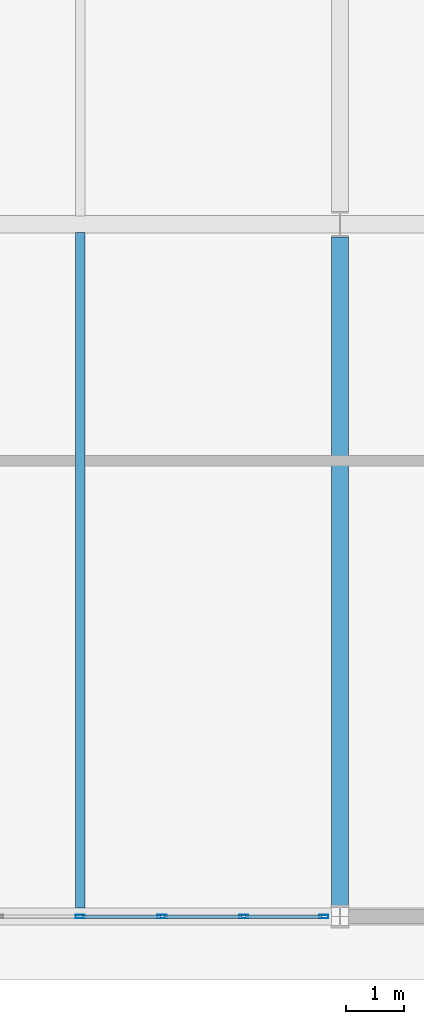
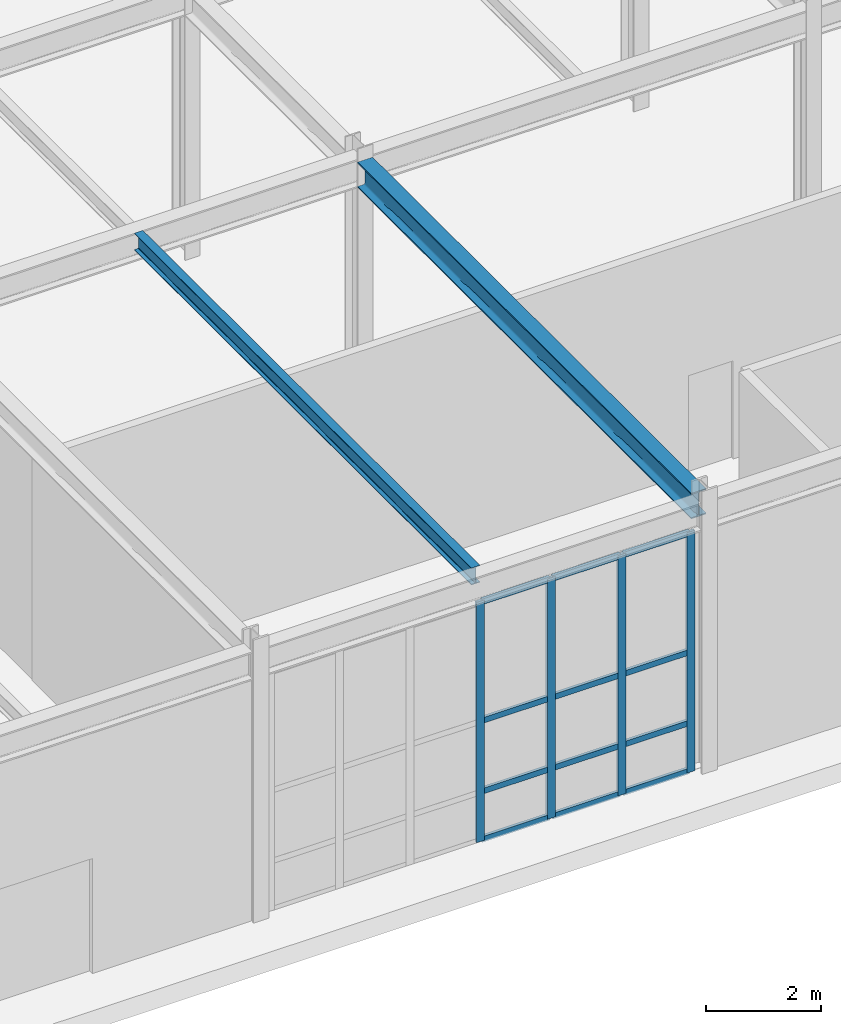
# One storey, part 34 of 146: 16 members, 2 beams, 1 element without a shape of its own.
"""IFC4 building model written with IfcOpenShell, lengths in metres."""

from ifc_helpers import new_model, si_unit, direction, frame, origin, origin_2d, place, context, subcontext, project, spatial, hollow_rectangle, i_section, extrude, material, material_profile, profile_set, type_object, element, aggregate, save


model = new_model("IFC4")

# Units and contexts
model_context = context("Model", 3, precision=1e-05, world=origin(), true_north=direction((0.0, 1.0)))
body_context = subcontext(model_context, "Body", "Model", "MODEL_VIEW")
ifc_project = project(units=[si_unit("LENGTHUNIT", "METRE"), si_unit("AREAUNIT", "SQUARE_METRE"), si_unit("VOLUMEUNIT", "CUBIC_METRE"), si_unit("PLANEANGLEUNIT", "RADIAN"), si_unit("MASSUNIT", "GRAM", prefix="KILO")], contexts=[model_context])

# Site, building, storey
site_placement = place(None, origin())
site = spatial("IfcSite", under=ifc_project, at=site_placement, CompositionType="ELEMENT")
building_placement = place(site_placement, origin())
building = spatial("IfcBuilding", under=site, at=building_placement, Name="Kaldris Quays Convention Centre", CompositionType="ELEMENT")
storey_placement = place(building_placement, origin())
storey = spatial("IfcBuildingStorey", under=building, at=storey_placement, Name="L00", CompositionType="ELEMENT", Elevation=0.0)

# Curtain wall, members
ifc_material_1 = material(Name="Anodized aluminium AW-6060 and triple glazing", Category="aluminium")
curtain_wall_type = type_object("IfcCurtainWallType", Name="UNITISED CURTAIN WALL CW01", PredefinedType="NOTDEFINED", material=ifc_material_1)
curtain_wall_placement = place(storey_placement, origin())
curtain_wall = element("IfcCurtainWall", 1, at=curtain_wall_placement, inside=storey, type_object=curtain_wall_type, Name="L00 Unitised Curtain Wall CW01 47", PredefinedType="NOTDEFINED")
ifc_material_2 = material(Name="Anodized aluminium AW-6060", Category="aluminium")
ifc_material_profile_1 = material_profile(ifc_material_2, hollow_rectangle(XDim=0.06005859375, YDim=0.159912109375, WallThickness=0.00390625, at=origin_2d()), Name="RHS 160x60x4")
ifc_profile_set_1 = profile_set([ifc_material_profile_1], Name="Anodized aluminium AW-6060")
member_type_1 = type_object("IfcMemberType", Name="CURTAIN MULLION CWM1", PredefinedType="MULLION", material=ifc_profile_set_1)
member_1_placement = place(storey_placement, frame((60.5, 16.0, 0.0), z_axis=(0.0, 0.0, 1.0), x_axis=(0.0, 1.0, 0.0)))
member_1 = element("IfcMember", 2, at=member_1_placement, type_object=member_type_1, Name="CW01 mullion 4", PredefinedType="MULLION", context=body_context, shape_type="SweptSolid", body=[
    extrude(hollow_rectangle(XDim=0.06005859375, YDim=0.159912109375, WallThickness=0.00390625, at=origin_2d()), origin(), (0.0, 0.0, 1.0), 5.097900390625),
])
member_2_placement = place(storey_placement, frame((61.916748046875, 16.0, 0.0), z_axis=(0.0, 0.0, 1.0), x_axis=(0.0, 1.0, 0.0)))
member_2 = element("IfcMember", 3, at=member_2_placement, type_object=member_type_1, Name="CW01 mullion 5", PredefinedType="MULLION", context=body_context, shape_type="SweptSolid", body=[
    extrude(hollow_rectangle(XDim=0.06005859375, YDim=0.159912109375, WallThickness=0.00390625, at=origin_2d()), origin(), (0.0, 0.0, 1.0), 5.097900390625),
])
member_3_placement = place(storey_placement, frame((63.333251953125, 16.0, 0.0), z_axis=(0.0, 0.0, 1.0), x_axis=(0.0, 1.0, 0.0)))
member_3 = element("IfcMember", 4, at=member_3_placement, type_object=member_type_1, Name="CW01 mullion 6", PredefinedType="MULLION", context=body_context, shape_type="SweptSolid", body=[
    extrude(hollow_rectangle(XDim=0.06005859375, YDim=0.159912109375, WallThickness=0.00390625, at=origin_2d()), origin(), (0.0, 0.0, 1.0), 5.097900390625),
])
member_4_placement = place(storey_placement, frame((64.719970703125, 16.0, 0.0), z_axis=(0.0, 0.0, 1.0), x_axis=(0.0, 1.0, 0.0)))
member_4 = element("IfcMember", 5, at=member_4_placement, type_object=member_type_1, Name="CW01 mullion 7", PredefinedType="MULLION", context=body_context, shape_type="SweptSolid", body=[
    extrude(hollow_rectangle(XDim=0.06005859375, YDim=0.159912109375, WallThickness=0.00390625, at=origin_2d()), origin(), (0.0, 0.0, 1.0), 5.097900390625),
])
ifc_material_profile_2 = material_profile(ifc_material_2, hollow_rectangle(XDim=0.06005859375, YDim=0.1201171875, WallThickness=0.00390625, at=origin_2d()), Name="RHS 120x60x4")
ifc_profile_set_2 = profile_set([ifc_material_profile_2], Name="Anodized aluminium AW-6060")
member_type_2 = type_object("IfcMemberType", Name="CURTAIN TRANSOM CWT1", PredefinedType="USERDEFINED", material=ifc_profile_set_2)
member_5_placement = place(storey_placement, frame((60.530029296875, 16.0, 0.030029296875), z_axis=(1.0, 0.0, 0.0), x_axis=(0.0, 1.0, 0.0)))
member_5 = element("IfcMember", 6, at=member_5_placement, type_object=member_type_2, Name="CW01 transom 4.1", ObjectType="TRANSOM", PredefinedType="USERDEFINED", context=body_context, shape_type="SweptSolid", body=[
    extrude(hollow_rectangle(XDim=0.06005859375, YDim=0.1201171875, WallThickness=0.00390625, at=origin_2d()), origin(), (0.0, 0.0, 1.0), 1.356689453125),
])
member_6_placement = place(storey_placement, frame((60.530029296875, 16.0, 1.050048828125), z_axis=(1.0, 0.0, 0.0), x_axis=(0.0, 1.0, 0.0)))
member_6 = element("IfcMember", 7, at=member_6_placement, type_object=member_type_2, Name="CW01 transom 4.2", ObjectType="TRANSOM", PredefinedType="USERDEFINED", context=body_context, shape_type="SweptSolid", body=[
    extrude(hollow_rectangle(XDim=0.06005859375, YDim=0.1201171875, WallThickness=0.00390625, at=origin_2d()), origin(), (0.0, 0.0, 1.0), 1.356689453125),
])
member_7_placement = place(storey_placement, frame((60.530029296875, 16.0, 2.549072265625), z_axis=(1.0, 0.0, 0.0), x_axis=(0.0, 1.0, 0.0)))
member_7 = element("IfcMember", 8, at=member_7_placement, type_object=member_type_2, Name="CW01 transom 4.3", ObjectType="TRANSOM", PredefinedType="USERDEFINED", context=body_context, shape_type="SweptSolid", body=[
    extrude(hollow_rectangle(XDim=0.06005859375, YDim=0.1201171875, WallThickness=0.00390625, at=origin_2d()), origin(), (0.0, 0.0, 1.0), 1.356689453125),
])
member_8_placement = place(storey_placement, frame((60.530029296875, 16.0, 5.068115234375), z_axis=(1.0, 0.0, 0.0), x_axis=(0.0, 1.0, 0.0)))
member_8 = element("IfcMember", 9, at=member_8_placement, type_object=member_type_2, Name="CW01 transom 4.4", ObjectType="TRANSOM", PredefinedType="USERDEFINED", context=body_context, shape_type="SweptSolid", body=[
    extrude(hollow_rectangle(XDim=0.06005859375, YDim=0.1201171875, WallThickness=0.00390625, at=origin_2d()), origin(), (0.0, 0.0, 1.0), 1.356689453125),
])
member_9_placement = place(storey_placement, frame((61.94677734375, 16.0, 0.030029296875), z_axis=(1.0, 0.0, 0.0), x_axis=(0.0, 1.0, 0.0)))
member_9 = element("IfcMember", 10, at=member_9_placement, type_object=member_type_2, Name="CW01 transom 5.1", ObjectType="TRANSOM", PredefinedType="USERDEFINED", context=body_context, shape_type="SweptSolid", body=[
    extrude(hollow_rectangle(XDim=0.06005859375, YDim=0.1201171875, WallThickness=0.00390625, at=origin_2d()), origin(), (0.0, 0.0, 1.0), 1.3564453125),
])
member_10_placement = place(storey_placement, frame((61.94677734375, 16.0, 1.050048828125), z_axis=(1.0, 0.0, 0.0), x_axis=(0.0, 1.0, 0.0)))
member_10 = element("IfcMember", 11, at=member_10_placement, type_object=member_type_2, Name="CW01 transom 5.2", ObjectType="TRANSOM", PredefinedType="USERDEFINED", context=body_context, shape_type="SweptSolid", body=[
    extrude(hollow_rectangle(XDim=0.06005859375, YDim=0.1201171875, WallThickness=0.00390625, at=origin_2d()), origin(), (0.0, 0.0, 1.0), 1.3564453125),
])
member_11_placement = place(storey_placement, frame((61.94677734375, 16.0, 2.549072265625), z_axis=(1.0, 0.0, 0.0), x_axis=(0.0, 1.0, 0.0)))
member_11 = element("IfcMember", 12, at=member_11_placement, type_object=member_type_2, Name="CW01 transom 5.3", ObjectType="TRANSOM", PredefinedType="USERDEFINED", context=body_context, shape_type="SweptSolid", body=[
    extrude(hollow_rectangle(XDim=0.06005859375, YDim=0.1201171875, WallThickness=0.00390625, at=origin_2d()), origin(), (0.0, 0.0, 1.0), 1.3564453125),
])
member_12_placement = place(storey_placement, frame((61.94677734375, 16.0, 5.068115234375), z_axis=(1.0, 0.0, 0.0), x_axis=(0.0, 1.0, 0.0)))
member_12 = element("IfcMember", 13, at=member_12_placement, type_object=member_type_2, Name="CW01 transom 5.4", ObjectType="TRANSOM", PredefinedType="USERDEFINED", context=body_context, shape_type="SweptSolid", body=[
    extrude(hollow_rectangle(XDim=0.06005859375, YDim=0.1201171875, WallThickness=0.00390625, at=origin_2d()), origin(), (0.0, 0.0, 1.0), 1.3564453125),
])
member_13_placement = place(storey_placement, frame((63.36328125, 16.0, 0.030029296875), z_axis=(1.0, 0.0, 0.0), x_axis=(0.0, 1.0, 0.0)))
member_13 = element("IfcMember", 14, at=member_13_placement, type_object=member_type_2, Name="CW01 transom 6.1", ObjectType="TRANSOM", PredefinedType="USERDEFINED", context=body_context, shape_type="SweptSolid", body=[
    extrude(hollow_rectangle(XDim=0.06005859375, YDim=0.1201171875, WallThickness=0.00390625, at=origin_2d()), origin(), (0.0, 0.0, 1.0), 1.32666015625),
])
member_14_placement = place(storey_placement, frame((63.36328125, 16.0, 1.050048828125), z_axis=(1.0, 0.0, 0.0), x_axis=(0.0, 1.0, 0.0)))
member_14 = element("IfcMember", 15, at=member_14_placement, type_object=member_type_2, Name="CW01 transom 6.2", ObjectType="TRANSOM", PredefinedType="USERDEFINED", context=body_context, shape_type="SweptSolid", body=[
    extrude(hollow_rectangle(XDim=0.06005859375, YDim=0.1201171875, WallThickness=0.00390625, at=origin_2d()), origin(), (0.0, 0.0, 1.0), 1.32666015625),
])
member_15_placement = place(storey_placement, frame((63.36328125, 16.0, 2.549072265625), z_axis=(1.0, 0.0, 0.0), x_axis=(0.0, 1.0, 0.0)))
member_15 = element("IfcMember", 16, at=member_15_placement, type_object=member_type_2, Name="CW01 transom 6.3", ObjectType="TRANSOM", PredefinedType="USERDEFINED", context=body_context, shape_type="SweptSolid", body=[
    extrude(hollow_rectangle(XDim=0.06005859375, YDim=0.1201171875, WallThickness=0.00390625, at=origin_2d()), origin(), (0.0, 0.0, 1.0), 1.32666015625),
])
member_16_placement = place(storey_placement, frame((63.36328125, 16.0, 5.068115234375), z_axis=(1.0, 0.0, 0.0), x_axis=(0.0, 1.0, 0.0)))
member_16 = element("IfcMember", 17, at=member_16_placement, type_object=member_type_2, Name="CW01 transom 6.4", ObjectType="TRANSOM", PredefinedType="USERDEFINED", context=body_context, shape_type="SweptSolid", body=[
    extrude(hollow_rectangle(XDim=0.06005859375, YDim=0.1201171875, WallThickness=0.00390625, at=origin_2d()), origin(), (0.0, 0.0, 1.0), 1.32666015625),
])
aggregate(curtain_wall, [member_1, member_2, member_3, member_4, member_5, member_6, member_7, member_8, member_9, member_10, member_11, member_12, member_13, member_14, member_15, member_16])

# Beams
ifc_material_3 = material(Name="Steel S355J2", Category="steel")
ifc_material_profile_3 = material_profile(ifc_material_3, i_section(OverallWidth=0.300048828125, OverallDepth=0.5400390625, WebThickness=0.012451171875, FlangeThickness=0.02392578125, FilletRadius=0.027099609375, at=origin_2d()), Name="HEA 550")
ifc_profile_set_3 = profile_set([ifc_material_profile_3], Name="Steel S355J2")
beam_type_1 = type_object("IfcBeamType", Name="STRUCTURAL BEAM BM13", PredefinedType="BEAM", material=ifc_profile_set_3)
beam_1_placement = place(storey_placement, frame((65.0, 16.19140625, 5.452880859375), z_axis=(0.0, 1.0, 0.0), x_axis=(-1.0, 0.0, 0.0)))
element("IfcBeam", 18, at=beam_1_placement, inside=storey, type_object=beam_type_1, Name="L00 Girder BM13 39", PredefinedType="BEAM", context=body_context, shape_type="SweptSolid", body=[
    extrude(i_section(OverallWidth=0.300048828125, OverallDepth=0.5400390625, WebThickness=0.012451171875, FlangeThickness=0.02392578125, FilletRadius=0.027099609375, at=origin_2d()), origin(), (0.0, 0.0, 1.0), 11.589599609375),
])
ifc_material_profile_4 = material_profile(ifc_material_3, i_section(OverallWidth=0.169921875, OverallDepth=0.360107421875, WebThickness=0.008056640625, FlangeThickness=0.0126953125, FilletRadius=0.01806640625, at=origin_2d()), Name="IPE 360")
ifc_profile_set_4 = profile_set([ifc_material_profile_4], Name="Steel S355J2")
beam_type_2 = type_object("IfcBeamType", Name="STRUCTURAL BEAM JT03", PredefinedType="JOIST", material=ifc_profile_set_4)
beam_2_placement = place(storey_placement, frame((60.5, 16.14404296875, 5.54296875), z_axis=(0.0, 1.0, 0.0), x_axis=(-1.0, 0.0, 0.0)))
element("IfcBeam", 19, at=beam_2_placement, inside=storey, type_object=beam_type_2, Name="L00 Secondary Joist JT03 2", PredefinedType="JOIST", context=body_context, shape_type="SweptSolid", body=[
    extrude(i_section(OverallWidth=0.169921875, OverallDepth=0.360107421875, WebThickness=0.008056640625, FlangeThickness=0.0126953125, FilletRadius=0.01806640625, at=origin_2d()), origin(), (0.0, 0.0, 1.0), 11.7119140625),
])

save(model, "model.ifc")
